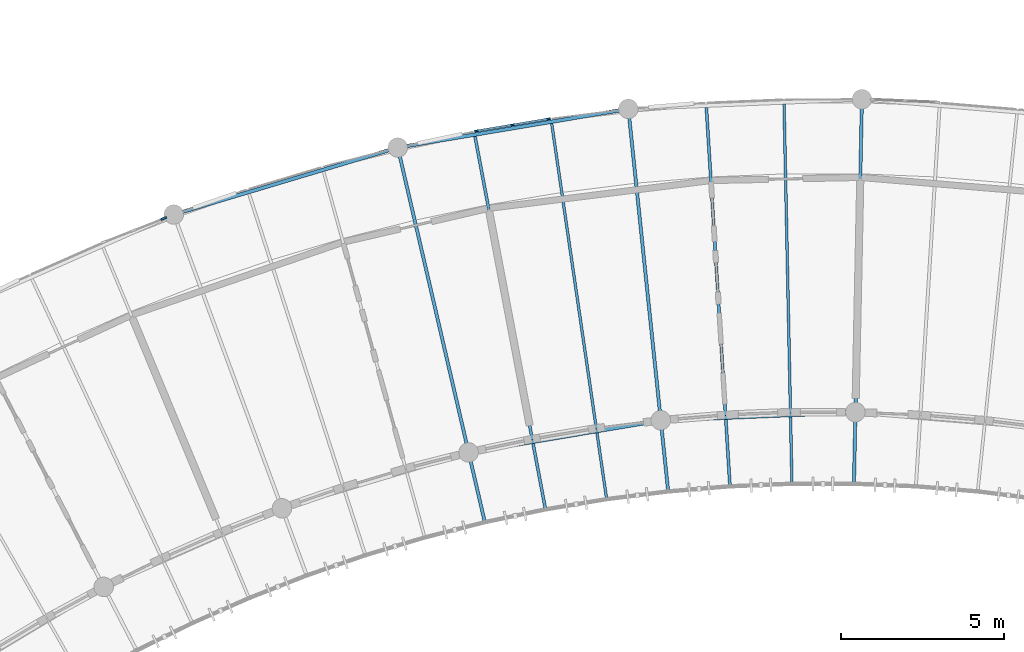
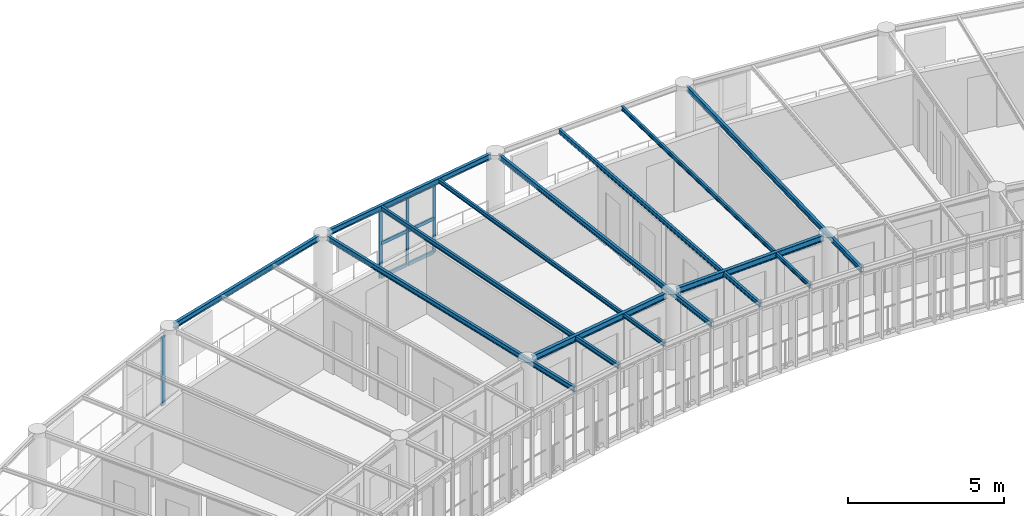
# One storey, part 34 of 100: 11 beams, 10 members, 2 elements without a shape of their own.
"""IFC4 building model written with IfcOpenShell, lengths in metres."""

from ifc_helpers import new_model, si_unit, direction, frame, origin, origin_2d, place, context, subcontext, project, spatial, rectangle, i_section, extrude, material, layer, layer_set, material_profile, profile_set, type_object, element, aggregate, save


model = new_model("IFC4")

# Units and contexts
model_context = context("Model", 3, precision=1e-05, world=origin(), true_north=direction((0.0, 1.0)))
body_context = subcontext(model_context, "Body", "Model", "MODEL_VIEW")
ifc_project = project(units=[si_unit("LENGTHUNIT", "METRE"), si_unit("AREAUNIT", "SQUARE_METRE"), si_unit("VOLUMEUNIT", "CUBIC_METRE"), si_unit("PLANEANGLEUNIT", "RADIAN"), si_unit("MASSUNIT", "GRAM", prefix="KILO"), si_unit("POWERUNIT", "WATT"), si_unit("THERMODYNAMICTEMPERATUREUNIT", "KELVIN")], contexts=[model_context])

# Site, building, storey
site_placement = place(None, origin())
site = spatial("IfcSite", under=ifc_project, at=site_placement, CompositionType="ELEMENT")
building_placement = place(site_placement, origin())
building = spatial("IfcBuilding", under=site, at=building_placement, Name="Ruvembo Vaulted Housing Court", CompositionType="ELEMENT")
storey_placement = place(building_placement, frame((0.0, 0.0, 14.10009765625)))
storey = spatial("IfcBuildingStorey", under=building, at=storey_placement, Name="L04", CompositionType="ELEMENT", Elevation=14.10009765625)

# Beams
ifc_material_1 = material(Name="Steel S355J2", Category="steel")
ifc_material_profile_1 = material_profile(ifc_material_1, i_section(OverallWidth=0.08203125, OverallDepth=0.159912109375, WebThickness=0.0048828125, FlangeThickness=0.00732421875, FilletRadius=0.009033203125, at=origin_2d()), Name="IPE 160")
ifc_profile_set_1 = profile_set([ifc_material_profile_1], Name="Steel S355J2")
beam_type_1 = type_object("IfcBeamType", Name="BM-ST-IPE160", PredefinedType="JOIST", material=ifc_profile_set_1)
beam_1_placement = place(storey_placement, frame((108.6826171875, 106.845458984375, 2.85986328125), z_axis=(0.144762278676, -0.989466463642, 0.0), x_axis=(0.989466463642, 0.144762278676, 0.0)))
element("IfcBeam", 1, at=beam_1_placement, inside=storey, type_object=beam_type_1, Name="Scoop SC3 L04 Radial Steel Joist 11", PredefinedType="JOIST", context=body_context, shape_type="SweptSolid", body=[
    extrude(i_section(OverallWidth=0.08203125, OverallDepth=0.159912109375, WebThickness=0.0048828125, FlangeThickness=0.00732421875, FilletRadius=0.009033203125, at=origin_2d()), origin(), (0.0, 0.0, 1.0), 11.690673828125),
])
beam_2_placement = place(storey_placement, frame((115.8076171875, 107.4384765625, 2.85986328125), z_axis=(0.020757495044, -0.999784539988, 0.0), x_axis=(0.999784539988, 0.020757495044, 0.0)))
element("IfcBeam", 2, at=beam_2_placement, inside=storey, type_object=beam_type_1, Name="Scoop SC3 L04 Radial Steel Joist 14", PredefinedType="JOIST", context=body_context, shape_type="SweptSolid", body=[
    extrude(i_section(OverallWidth=0.08203125, OverallDepth=0.159912109375, WebThickness=0.0048828125, FlangeThickness=0.00732421875, FilletRadius=0.009033203125, at=origin_2d()), origin(), (0.0, 0.0, 1.0), 11.69091796875),
])
ifc_material_profile_2 = material_profile(ifc_material_1, i_section(OverallWidth=0.091064453125, OverallDepth=0.179931640625, WebThickness=0.00537109375, FlangeThickness=0.008056640625, FilletRadius=0.009033203125, at=origin_2d()), Name="IPE 180")
ifc_profile_set_2 = profile_set([ifc_material_profile_2], Name="Steel S355J2")
beam_type_2 = type_object("IfcBeamType", Name="BM-ST-IPE180", PredefinedType="JOIST", material=ifc_profile_set_2)
for number, where, z_axis, x_axis, name in (
    (3, (106.33056640625, 106.451416015625, 2.849853515625), (0.185715658809, -0.982603528425, 0.0), (0.982603528425, 0.185715658809, 0.0), "Scoop SC3 L04 Radial Steel Joist 10"),
    (4, (113.425048828125, 107.33935546875, 2.849853515625), (0.062232670177, -0.998061668817, 0.0), (0.998061668817, 0.062232670177, 0.0), "Scoop SC3 L04 Radial Steel Joist 13"),
):
    element("IfcBeam", number, at=place(storey_placement, frame(where, z_axis=z_axis, x_axis=x_axis)), inside=storey, type_object=beam_type_2, Name=name, PredefinedType="JOIST", context=body_context, shape_type="SweptSolid", body=[
        extrude(i_section(OverallWidth=0.091064453125, OverallDepth=0.179931640625, WebThickness=0.00537109375, FlangeThickness=0.008056640625, FilletRadius=0.009033203125, at=origin_2d()), origin(), (0.0, 0.0, 1.0), 11.690673828125),
    ])
ifc_material_profile_3 = material_profile(ifc_material_1, i_section(OverallWidth=0.10009765625, OverallDepth=0.199951171875, WebThickness=0.005615234375, FlangeThickness=0.008544921875, FilletRadius=0.011962890625, at=origin_2d()), Name="IPE 200")
ifc_profile_set_3 = profile_set([ifc_material_profile_3], Name="Steel S355J2")
beam_type_3 = type_object("IfcBeamType", Name="BM-ST-IPE200", PredefinedType="BEAM", material=ifc_profile_set_3)
for number, where, z_axis, x_axis, name in (
    (5, (104.00634765625, 105.920166015625, 2.83984375), (0.226348432731, -0.974046398792, 0.0), (0.974046398792, 0.226348432731, 0.0), "Scoop SC3 L04 Radial Steel Joist 9"),
    (6, (111.052978515625, 107.10107421875, 2.83984375), (0.103588375978, -0.994620253344, 0.0), (0.994620253344, 0.103588375978, 0.0), "Scoop SC3 L04 Radial Steel Joist 12"),
):
    element("IfcBeam", number, at=place(storey_placement, frame(where, z_axis=z_axis, x_axis=x_axis)), inside=storey, type_object=beam_type_3, Name=name, PredefinedType="BEAM", context=body_context, shape_type="SweptSolid", body=[
        extrude(i_section(OverallWidth=0.10009765625, OverallDepth=0.199951171875, WebThickness=0.005615234375, FlangeThickness=0.008544921875, FilletRadius=0.011962890625, at=origin_2d()), origin(), (0.0, 0.0, 1.0), 11.64990234375),
    ])
beam_3_placement = place(storey_placement, frame((118.19140625, 107.397705078125, 2.83984375), z_axis=(-0.020746335574, -0.999784771618, 0.0), x_axis=(0.999784771618, -0.020746335574, 0.0)))
element("IfcBeam", 7, at=beam_3_placement, inside=storey, type_object=beam_type_3, Name="Scoop SC3 L04 Radial Steel Joist 15", PredefinedType="BEAM", context=body_context, shape_type="SweptSolid", body=[
    extrude(i_section(OverallWidth=0.10009765625, OverallDepth=0.199951171875, WebThickness=0.005615234375, FlangeThickness=0.008544921875, FilletRadius=0.011962890625, at=origin_2d()), origin(), (0.0, 0.0, 1.0), 11.650146484375),
])
ifc_material_profile_4 = material_profile(ifc_material_1, i_section(OverallWidth=0.110107421875, OverallDepth=0.219970703125, WebThickness=0.005859375, FlangeThickness=0.00927734375, FilletRadius=0.011962890625, at=origin_2d()), Name="IPE 220")
ifc_profile_set_4 = profile_set([ifc_material_profile_4], Name="Steel S355J2")
beam_type_4 = type_object("IfcBeamType", Name="BM-ST-IPE220", PredefinedType="SPANDREL", material=ifc_profile_set_4)
beam_4_placement = place(storey_placement, frame((97.277587890625, 104.10595703125, 2.831787109375), z_axis=(0.95808325874, 0.286489911379, 0.0), x_axis=(-0.286489911379, 0.95808325874, 0.0)))
element("IfcBeam", 8, at=beam_4_placement, inside=storey, type_object=beam_type_4, Name="Scoop SC3 L04 Chord Girder B6", PredefinedType="SPANDREL", context=body_context, shape_type="SweptSolid", body=[
    extrude(i_section(OverallWidth=0.110107421875, OverallDepth=0.219970703125, WebThickness=0.005859375, FlangeThickness=0.00927734375, FilletRadius=0.011962890625, at=origin_2d()), origin(), (0.0, 0.0, 1.0), 6.78857421875),
])
beam_5_placement = place(storey_placement, frame((104.15087890625, 106.13671875, 2.831787109375), z_axis=(0.986243820998, 0.165297082682, 0.0), x_axis=(-0.165297082682, 0.986243820998, 0.0)))
element("IfcBeam", 9, at=beam_5_placement, inside=storey, type_object=beam_type_4, Name="Scoop SC3 L04 Chord Girder B9", PredefinedType="SPANDREL", context=body_context, shape_type="SweptSolid", body=[
    extrude(i_section(OverallWidth=0.110107421875, OverallDepth=0.219970703125, WebThickness=0.005859375, FlangeThickness=0.00927734375, FilletRadius=0.011962890625, at=origin_2d()), origin(), (0.0, 0.0, 1.0), 6.7880859375),
])
ifc_material_profile_5 = material_profile(ifc_material_1, i_section(OverallWidth=0.1201171875, OverallDepth=0.239990234375, WebThickness=0.006103515625, FlangeThickness=0.009765625, FilletRadius=0.014892578125, at=origin_2d()), Name="IPE 240")
ifc_profile_set_5 = profile_set([ifc_material_profile_5], Name="Steel S355J2")
beam_type_5 = type_object("IfcBeamType", Name="BM-ST-IPE240", PredefinedType="BEAM", material=ifc_profile_set_5)
for number, where, z_axis, x_axis, name in (
    (10, (106.323486328125, 96.785888671875, 2.822021484375), (0.986246077764, 0.165283617139, 0.0), (-0.165283617139, 0.986246077764, 0.0), "Scoop SC3 L04 Chord Girder F9"),
    (11, (112.217529296875, 97.749755859375, 2.822021484375), (0.999140018257, 0.041463525133, 0.0), (-0.041463525133, 0.999140018257, 0.0), "Scoop SC3 L04 Chord Girder F12"),
):
    element("IfcBeam", number, at=place(storey_placement, frame(where, z_axis=z_axis, x_axis=x_axis)), inside=storey, type_object=beam_type_5, Name=name, PredefinedType="BEAM", context=body_context, shape_type="SweptSolid", body=[
        extrude(i_section(OverallWidth=0.1201171875, OverallDepth=0.239990234375, WebThickness=0.006103515625, FlangeThickness=0.009765625, FilletRadius=0.014892578125, at=origin_2d()), origin(), (0.0, 0.0, 1.0), 5.59375),
    ])

# Curtain wall, members
ifc_material_2 = material(Name="Anodised Aluminium and Solar-Control Glass", Category="aluminium")
ifc_layer_1 = layer(ifc_material_2, 0.139892578125, Name="Anodised Aluminium and Solar-Control Glass")
ifc_layer_set_1 = layer_set([ifc_layer_1], Name="Anodised Aluminium and Solar-Control Glass")
curtain_wall_type_1 = type_object("IfcCurtainWallType", Name="CW-SCOOP-PAN", PredefinedType="NOTDEFINED", material=ifc_layer_set_1)
curtain_wall_1_placement = place(storey_placement, origin())
curtain_wall_1 = element("IfcCurtainWall", 12, at=curtain_wall_1_placement, inside=storey, type_object=curtain_wall_type_1, Name="L04 Curtain Wall CW-L04-0079", PredefinedType="NOTDEFINED")
ifc_material_3 = material(Name="Anodised Aluminium 6063-T6", Category="aluminium")
ifc_material_profile_6 = material_profile(ifc_material_3, rectangle(XDim=0.054931640625, YDim=0.1201171875, at=origin_2d()), Name="ALU 55x120")
ifc_profile_set_6 = profile_set([ifc_material_profile_6], Name="Anodised Aluminium 6063-T6")
member_type_1 = type_object("IfcMemberType", Name="CW-MUL-55x120", PredefinedType="MULLION", material=ifc_profile_set_6)
member_1_placement = place(storey_placement, frame((106.37939453125, 106.61083984375, 0.0), z_axis=(0.0, 0.0, 1.0), x_axis=(-0.165262505305, 0.986249615635, 0.0)))
member_1 = element("IfcMember", 13, at=member_1_placement, type_object=member_type_1, Name="CW10 mullion 1", PredefinedType="MULLION", context=body_context, shape_type="SweptSolid", body=[
    extrude(rectangle(XDim=0.054931640625, YDim=0.1201171875, at=origin_2d()), origin(), (0.0, 0.0, 1.0), 2.697998046875),
])
member_2_placement = place(storey_placement, frame((107.48193359375, 106.795654296875, 0.0), z_axis=(0.0, 0.0, 1.0), x_axis=(-0.165262505305, 0.986249615635, 0.0)))
member_2 = element("IfcMember", 14, at=member_2_placement, type_object=member_type_1, Name="CW10 mullion 2", PredefinedType="MULLION", context=body_context, shape_type="SweptSolid", body=[
    extrude(rectangle(XDim=0.054931640625, YDim=0.1201171875, at=origin_2d()), origin(), (0.0, 0.0, 1.0), 2.697998046875),
])
member_3_placement = place(storey_placement, frame((108.58447265625, 106.98046875, 0.0), z_axis=(0.0, 0.0, 1.0), x_axis=(-0.165262505305, 0.986249615635, 0.0)))
member_3 = element("IfcMember", 15, at=member_3_placement, type_object=member_type_1, Name="CW10 mullion 3", PredefinedType="MULLION", context=body_context, shape_type="SweptSolid", body=[
    extrude(rectangle(XDim=0.054931640625, YDim=0.1201171875, at=origin_2d()), origin(), (0.0, 0.0, 1.0), 2.697998046875),
])

# Curtain wall, member
ifc_layer_2 = layer(ifc_material_2, 0.1201171875, Name="Anodised Aluminium and Solar-Control Glass")
ifc_layer_set_2 = layer_set([ifc_layer_2], Name="Anodised Aluminium and Solar-Control Glass")
curtain_wall_type_2 = type_object("IfcCurtainWallType", Name="CW-SCOOP-GAL", PredefinedType="NOTDEFINED", material=ifc_layer_set_2)
curtain_wall_2_placement = place(storey_placement, origin())
curtain_wall_2 = element("IfcCurtainWall", 16, at=curtain_wall_2_placement, inside=storey, type_object=curtain_wall_type_2, Name="L04 Curtain Wall CW-L04-0078", PredefinedType="NOTDEFINED")
ifc_material_profile_7 = material_profile(ifc_material_3, rectangle(XDim=0.06494140625, YDim=0.179931640625, at=origin_2d()), Name="ALU 65x180")
ifc_profile_set_7 = profile_set([ifc_material_profile_7], Name="Anodised Aluminium 6063-T6")
member_type_2 = type_object("IfcMemberType", Name="CW-MUL-65x180", PredefinedType="MULLION", material=ifc_profile_set_7)
member_4_placement = place(storey_placement, frame((96.785888671875, 103.93017578125, 0.0), z_axis=(0.0, 0.0, 1.0), x_axis=(-0.36500342181, 0.931006177244, 0.0)))
member_4 = element("IfcMember", 17, at=member_4_placement, type_object=member_type_2, Name="CW6 mullion 3", PredefinedType="MULLION", context=body_context, shape_type="SweptSolid", body=[
    extrude(rectangle(XDim=0.06494140625, YDim=0.179931640625, at=origin_2d()), origin(), (0.0, 0.0, 1.0), 2.697998046875),
])
aggregate(curtain_wall_2, [member_4])

# Member
ifc_material_profile_8 = material_profile(ifc_material_3, rectangle(XDim=0.06494140625, YDim=0.135009765625, at=origin_2d()), Name="ALU 65x135")
ifc_profile_set_8 = profile_set([ifc_material_profile_8], Name="Anodised Aluminium 6063-T6")
member_type_3 = type_object("IfcMemberType", Name="CW-TRN-65x135", PredefinedType="USERDEFINED", material=ifc_profile_set_8)
member_5_placement = place(storey_placement, frame((106.406494140625, 106.615478515625, 0.032470703125), z_axis=(0.986269488229, 0.165143866334, 0.0), x_axis=(-0.165143866334, 0.986269488229, 0.0)))
member_5 = element("IfcMember", 18, at=member_5_placement, type_object=member_type_3, Name="CW10 transom 1.1", ObjectType="TRANSOM", PredefinedType="USERDEFINED", context=body_context, shape_type="SweptSolid", body=[
    extrude(rectangle(XDim=0.06494140625, YDim=0.135009765625, at=origin_2d()), origin(), (0.0, 0.0, 1.0), 1.06298828125),
])

member_6_placement = place(storey_placement, frame((106.406494140625, 106.615478515625, 1.348876953125), z_axis=(0.986269488229, 0.165143866334, 0.0), x_axis=(-0.165143866334, 0.986269488229, 0.0)))
member_6 = element("IfcMember", 19, at=member_6_placement, type_object=member_type_3, Name="CW10 transom 1.2", ObjectType="TRANSOM", PredefinedType="USERDEFINED", context=body_context, shape_type="SweptSolid", body=[
    extrude(rectangle(XDim=0.06494140625, YDim=0.135009765625, at=origin_2d()), origin(), (0.0, 0.0, 1.0), 1.06298828125),
])

member_7_placement = place(storey_placement, frame((106.406494140625, 106.615478515625, 2.665283203125), z_axis=(0.986269488229, 0.165143866334, 0.0), x_axis=(-0.165143866334, 0.986269488229, 0.0)))
member_7 = element("IfcMember", 20, at=member_7_placement, type_object=member_type_3, Name="CW10 transom 1.3", ObjectType="TRANSOM", PredefinedType="USERDEFINED", context=body_context, shape_type="SweptSolid", body=[
    extrude(rectangle(XDim=0.06494140625, YDim=0.135009765625, at=origin_2d()), origin(), (0.0, 0.0, 1.0), 1.06298828125),
])

member_8_placement = place(storey_placement, frame((107.509033203125, 106.800048828125, 0.032470703125), z_axis=(0.98623205401, 0.165367275009, 0.0), x_axis=(-0.165367275009, 0.98623205401, 0.0)))
member_8 = element("IfcMember", 21, at=member_8_placement, type_object=member_type_3, Name="CW10 transom 2.1", ObjectType="TRANSOM", PredefinedType="USERDEFINED", context=body_context, shape_type="SweptSolid", body=[
    extrude(rectangle(XDim=0.06494140625, YDim=0.135009765625, at=origin_2d()), origin(), (0.0, 0.0, 1.0), 1.06298828125),
])

member_9_placement = place(storey_placement, frame((107.509033203125, 106.800048828125, 1.348876953125), z_axis=(0.98623205401, 0.165367275009, 0.0), x_axis=(-0.165367275009, 0.98623205401, 0.0)))
member_9 = element("IfcMember", 22, at=member_9_placement, type_object=member_type_3, Name="CW10 transom 2.2", ObjectType="TRANSOM", PredefinedType="USERDEFINED", context=body_context, shape_type="SweptSolid", body=[
    extrude(rectangle(XDim=0.06494140625, YDim=0.135009765625, at=origin_2d()), origin(), (0.0, 0.0, 1.0), 1.06298828125),
])

member_10_placement = place(storey_placement, frame((107.509033203125, 106.800048828125, 2.665283203125), z_axis=(0.98623205401, 0.165367275009, 0.0), x_axis=(-0.165367275009, 0.98623205401, 0.0)))
member_10 = element("IfcMember", 23, at=member_10_placement, type_object=member_type_3, Name="CW10 transom 2.3", ObjectType="TRANSOM", PredefinedType="USERDEFINED", context=body_context, shape_type="SweptSolid", body=[
    extrude(rectangle(XDim=0.06494140625, YDim=0.135009765625, at=origin_2d()), origin(), (0.0, 0.0, 1.0), 1.06298828125),
])

aggregate(curtain_wall_1, [member_1, member_2, member_3, member_5, member_6, member_7, member_8, member_9, member_10])

save(model, "model.ifc")
